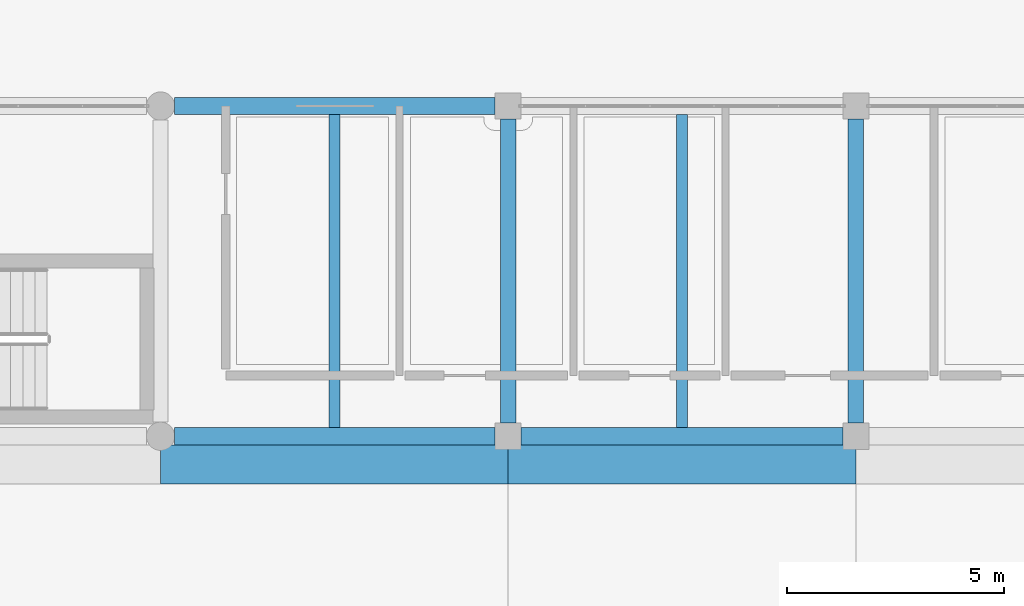
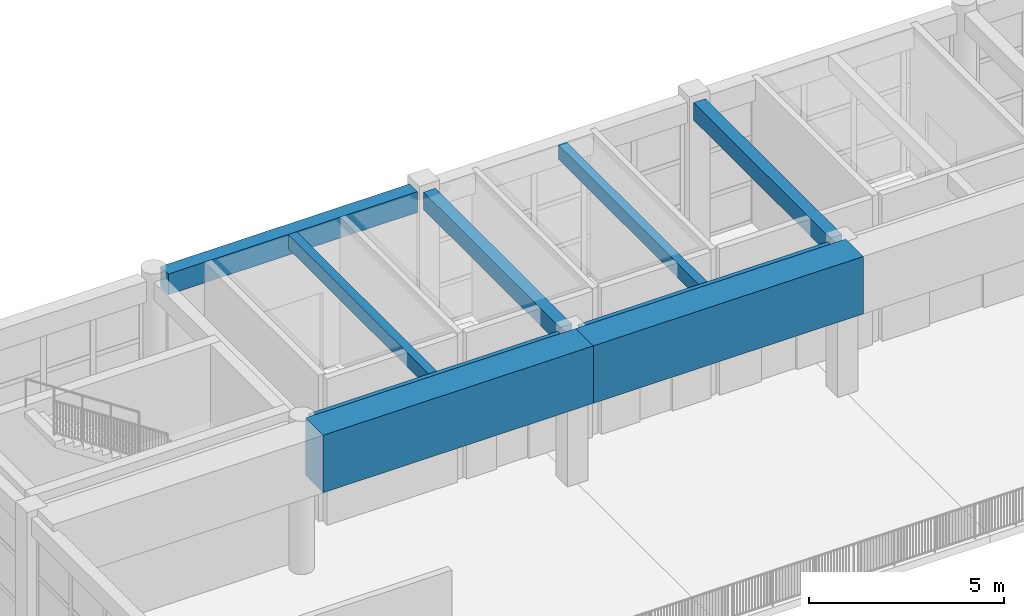
# One storey, part 11 of 32: 9 beams.
"""IFC4 building model written with IfcOpenShell, lengths in metres."""

from ifc_helpers import new_model, si_unit, direction, frame, origin, origin_2d, place, context, subcontext, project, spatial, rectangle, extrude, material, material_profile, profile_set, type_object, element, save


model = new_model("IFC4")

# Units and contexts
model_context = context("Model", 3, precision=1e-05, world=origin(), true_north=direction((0.0, 1.0)))
body_context = subcontext(model_context, "Body", "Model", "MODEL_VIEW")
ifc_project = project(units=[si_unit("LENGTHUNIT", "METRE"), si_unit("AREAUNIT", "SQUARE_METRE"), si_unit("VOLUMEUNIT", "CUBIC_METRE"), si_unit("PLANEANGLEUNIT", "RADIAN"), si_unit("MASSUNIT", "GRAM", prefix="KILO")], contexts=[model_context])

# Site, building, storey
site_placement = place(None, origin())
site = spatial("IfcSite", under=ifc_project, at=site_placement, CompositionType="ELEMENT")
building_placement = place(site_placement, origin())
building = spatial("IfcBuilding", under=site, at=building_placement, Name="Zantavel Square City Hall", CompositionType="ELEMENT")
storey_placement = place(building_placement, frame((0.0, 0.0, 23.699951171875)))
storey = spatial("IfcBuildingStorey", under=building, at=storey_placement, Name="L06", CompositionType="ELEMENT", Elevation=23.699951171875)

# Beams
ifc_material_1 = material(Name="Concrete C35/45", Category="concrete")
ifc_material_profile_1 = material_profile(ifc_material_1, rectangle(XDim=0.39990234375, YDim=0.64990234375, at=origin_2d()), Name="RC 400x650")
ifc_profile_set_1 = profile_set([ifc_material_profile_1], Name="Concrete C35/45")
beam_type_1 = type_object("IfcBeamType", Name="Frame Beam RC 400x650 C35/45", PredefinedType="BEAM", material=ifc_profile_set_1)
for number, where, z_axis, x_axis, name in (
    (1, (72.324951171875, 60.800048828125, 4.255126953125), (1.0, 0.0, 0.0), (0.0, 1.0, 0.0), "L06 Girder BMX-L06-0720-0608"),
    (2, (72.324951171875, 68.39990234375, 4.255126953125), (1.0, 0.0, 0.0), (0.0, 1.0, 0.0), "L06 Girder BMX-L06-0720-0684"),
):
    element("IfcBeam", number, at=place(storey_placement, frame(where, z_axis=z_axis, x_axis=x_axis)), inside=storey, type_object=beam_type_1, Name=name, PredefinedType="BEAM", context=body_context, shape_type="SweptSolid", body=[
        extrude(rectangle(XDim=0.39990234375, YDim=0.64990234375, at=origin_2d()), origin(), (0.0, 0.0, 1.0), 7.375),
    ])
beam_placement = place(storey_placement, frame((80.300048828125, 60.800048828125, 4.255126953125), z_axis=(1.0, 0.0, 0.0), x_axis=(0.0, 1.0, 0.0)))
element("IfcBeam", 3, at=beam_placement, inside=storey, type_object=beam_type_1, Name="L06 Girder BMX-L06-0800-0608", PredefinedType="BEAM", context=body_context, shape_type="SweptSolid", body=[
    extrude(rectangle(XDim=0.39990234375, YDim=0.64990234375, at=origin_2d()), origin(), (0.0, 0.0, 1.0), 7.39990234375),
])
ifc_material_profile_2 = material_profile(ifc_material_1, rectangle(XDim=0.25, YDim=0.449951171875, at=origin_2d()), Name="RC 250x450")
ifc_profile_set_2 = profile_set([ifc_material_profile_2], Name="Concrete C35/45")
beam_type_2 = type_object("IfcBeamType", Name="Light Floor Joist RC 250x450 C35/45", PredefinedType="JOIST", material=ifc_profile_set_2)
for number, where, z_axis, x_axis, name in (
    (4, (76.0, 61.0, 4.35498046875), (0.0, 1.0, 0.0), (-1.0, 0.0, 0.0), "L06 Floor Joist JST-L06-0760-0608"),
    (5, (84.0, 61.0, 4.35498046875), (0.0, 1.0, 0.0), (-1.0, 0.0, 0.0), "L06 Floor Joist JST-L06-0840-0608"),
):
    element("IfcBeam", number, at=place(storey_placement, frame(where, z_axis=z_axis, x_axis=x_axis)), inside=storey, type_object=beam_type_2, Name=name, PredefinedType="JOIST", context=body_context, shape_type="SweptSolid", body=[
        extrude(rectangle(XDim=0.25, YDim=0.449951171875, at=origin_2d()), origin(), (0.0, 0.0, 1.0), 7.199951171875),
    ])
ifc_material_profile_3 = material_profile(ifc_material_1, rectangle(XDim=0.35009765625, YDim=0.550048828125, at=origin_2d()), Name="RC 350x550")
ifc_profile_set_3 = profile_set([ifc_material_profile_3], Name="Concrete C35/45")
beam_type_3 = type_object("IfcBeamType", Name="Secondary Beam RC 350x550 C35/45", PredefinedType="BEAM", material=ifc_profile_set_3)
for number, where, z_axis, x_axis, name in (
    (6, (80.0, 61.10009765625, 4.304931640625), (0.0, 1.0, 0.0), (-1.0, 0.0, 0.0), "L06 Beam BMY-L06-0800-0608"),
    (7, (88.0, 61.10009765625, 4.304931640625), (0.0, 1.0, 0.0), (-1.0, 0.0, 0.0), "L06 Beam BMY-L06-0880-0608"),
):
    element("IfcBeam", number, at=place(storey_placement, frame(where, z_axis=z_axis, x_axis=x_axis)), inside=storey, type_object=beam_type_3, Name=name, PredefinedType="BEAM", context=body_context, shape_type="SweptSolid", body=[
        extrude(rectangle(XDim=0.35009765625, YDim=0.550048828125, at=origin_2d()), origin(), (0.0, 0.0, 1.0), 7.0),
    ])
ifc_material_2 = material(Name="Concrete C40/50", Category="concrete")
ifc_material_profile_4 = material_profile(ifc_material_2, rectangle(XDim=0.89990234375, YDim=1.800048828125, at=origin_2d()), Name="RC 900x1800")
ifc_profile_set_4 = profile_set([ifc_material_profile_4], Name="Concrete C40/50")
beam_type_4 = type_object("IfcBeamType", Name="Transfer Girder RC 900x1800 C40/50", PredefinedType="BEAM", material=ifc_profile_set_4)
for number, where, z_axis, x_axis, name in (
    (8, (72.0, 60.14990234375, 3.900146484375), (1.0, 0.0, 0.0), (0.0, 1.0, 0.0), "Vault Thrust Transfer Girder N-2"),
    (9, (80.0, 60.14990234375, 3.900146484375), (1.0, 0.0, 0.0), (0.0, 1.0, 0.0), "Vault Thrust Transfer Girder N-3"),
):
    element("IfcBeam", number, at=place(storey_placement, frame(where, z_axis=z_axis, x_axis=x_axis)), inside=storey, type_object=beam_type_4, Name=name, PredefinedType="BEAM", context=body_context, shape_type="SweptSolid", body=[
        extrude(rectangle(XDim=0.89990234375, YDim=1.800048828125, at=origin_2d()), origin(), (0.0, 0.0, 1.0), 8.0),
    ])

save(model, "model.ifc")
